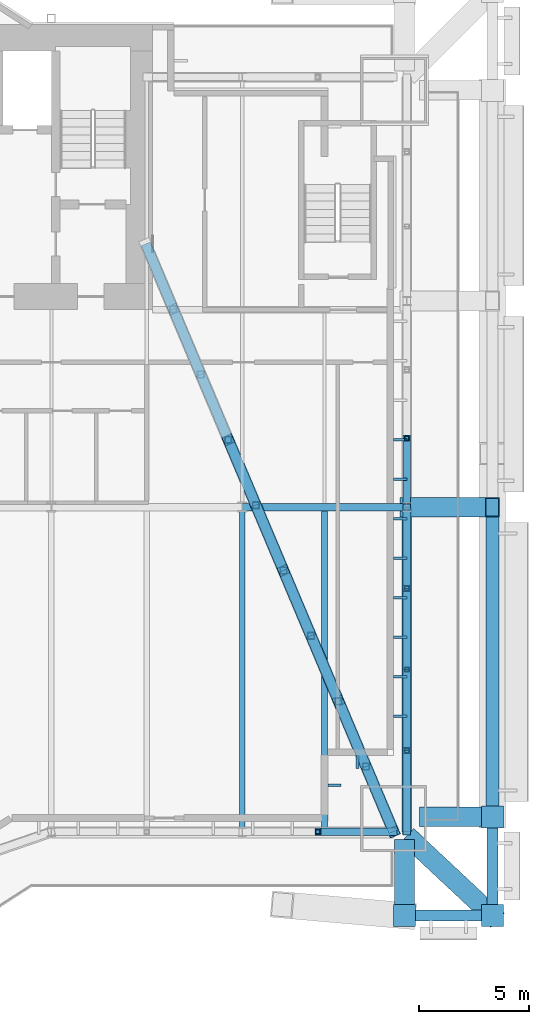
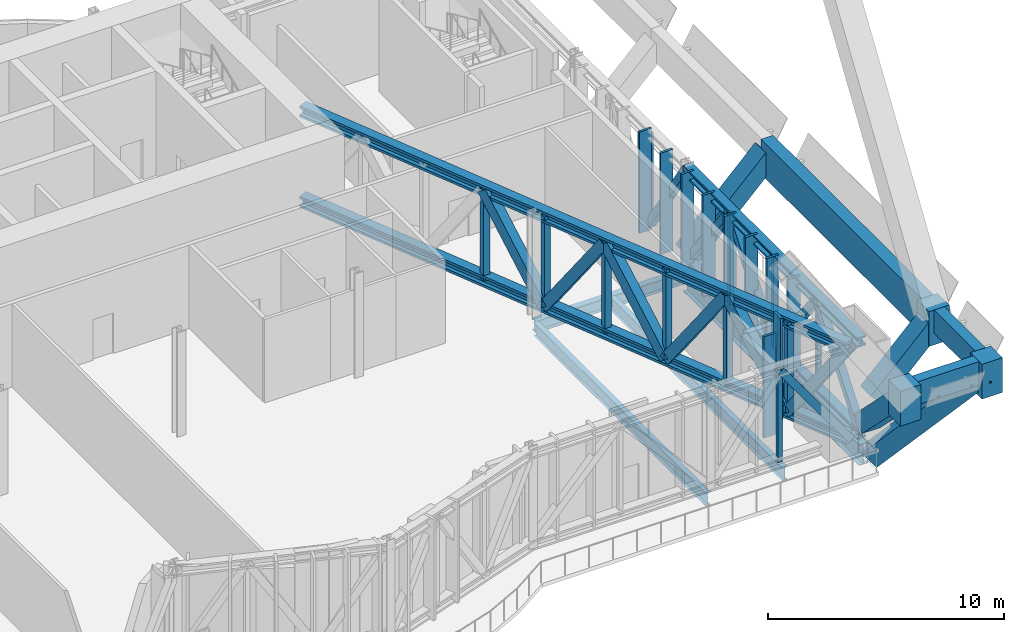
# One storey, part 16 of 32: 44 members, 7 beams, 1 element without a shape of its own.
"""IFC4 building model written with IfcOpenShell, lengths in metres."""

from ifc_helpers import new_model, si_unit, direction, frame, origin, origin_2d, place, context, subcontext, project, spatial, rectangle, hollow_rectangle, i_section, extrude, material, material_profile, profile_set, type_object, element, aggregate, save


model = new_model("IFC4")

# Units and contexts
model_context = context("Model", 3, precision=1e-05, world=origin(), true_north=direction((0.0, 1.0)))
body_context = subcontext(model_context, "Body", "Model", "MODEL_VIEW")
ifc_project = project(units=[si_unit("LENGTHUNIT", "METRE"), si_unit("AREAUNIT", "SQUARE_METRE"), si_unit("VOLUMEUNIT", "CUBIC_METRE"), si_unit("PLANEANGLEUNIT", "RADIAN"), si_unit("MASSUNIT", "GRAM", prefix="KILO")], contexts=[model_context])

# Site, building, storey
site_placement = place(None, origin())
site = spatial("IfcSite", under=ifc_project, at=site_placement, CompositionType="ELEMENT")
building_placement = place(site_placement, origin())
building = spatial("IfcBuilding", under=site, at=building_placement, Name="Bicima Exchange Tower", CompositionType="ELEMENT")
storey_placement = place(building_placement, frame((0.0, 0.0, 84.5)))
storey = spatial("IfcBuildingStorey", under=building, at=storey_placement, Name="L17", CompositionType="ELEMENT", Elevation=84.5)

# Curtain wall, members
ifc_material_1 = material(Name="Anodised bronze aluminium", Category="aluminium")
curtain_wall_type = type_object("IfcCurtainWallType", Name="Band blade screen", PredefinedType="NOTDEFINED", material=ifc_material_1)
curtain_wall_placement = place(storey_placement, origin())
curtain_wall = element("IfcCurtainWall", 1, at=curtain_wall_placement, inside=storey, type_object=curtain_wall_type, Name="Band blade screen L17", PredefinedType="NOTDEFINED")
ifc_material_profile_1 = material_profile(ifc_material_1, rectangle(XDim=0.60009765625, YDim=0.1201171875, at=origin_2d()))
ifc_profile_set_1 = profile_set([ifc_material_profile_1], Name="Anodised bronze aluminium")
member_type_1 = type_object("IfcMemberType", Name="Band blade fin 600 x 120", PredefinedType="USERDEFINED", material=ifc_profile_set_1)
member_1_placement = place(storey_placement, frame((33.300048828125, -31.52001953125, 0.0), z_axis=(0.0, 0.0, 1.0), x_axis=(-1.0, 0.0, 0.0)))
member_1 = element("IfcMember", 2, at=member_1_placement, type_object=member_type_1, Name="Band blade fin 1", ObjectType="FIN", PredefinedType="USERDEFINED", context=body_context, shape_type="SweptSolid", body=[
    extrude(rectangle(XDim=0.60009765625, YDim=0.1201171875, at=origin_2d()), origin(), (0.0, 0.0, 1.0), 5.25),
])
member_2_placement = place(storey_placement, frame((33.300048828125, -29.72021484375, 0.0), z_axis=(0.0, 0.0, 1.0), x_axis=(-1.0, 0.0, 0.0)))
member_2 = element("IfcMember", 3, at=member_2_placement, type_object=member_type_1, Name="Band blade fin 2", ObjectType="FIN", PredefinedType="USERDEFINED", context=body_context, shape_type="SweptSolid", body=[
    extrude(rectangle(XDim=0.60009765625, YDim=0.1201171875, at=origin_2d()), origin(), (0.0, 0.0, 1.0), 5.25),
])
member_3_placement = place(storey_placement, frame((33.300048828125, -27.920166015625, 0.0), z_axis=(0.0, 0.0, 1.0), x_axis=(-1.0, 0.0, 0.0)))
member_3 = element("IfcMember", 4, at=member_3_placement, type_object=member_type_1, Name="Band blade fin 3", ObjectType="FIN", PredefinedType="USERDEFINED", context=body_context, shape_type="SweptSolid", body=[
    extrude(rectangle(XDim=0.60009765625, YDim=0.1201171875, at=origin_2d()), origin(), (0.0, 0.0, 1.0), 5.25),
])
member_4_placement = place(storey_placement, frame((33.300048828125, -26.1201171875, 0.0), z_axis=(0.0, 0.0, 1.0), x_axis=(-1.0, 0.0, 0.0)))
member_4 = element("IfcMember", 5, at=member_4_placement, type_object=member_type_1, Name="Band blade fin 4", ObjectType="FIN", PredefinedType="USERDEFINED", context=body_context, shape_type="SweptSolid", body=[
    extrude(rectangle(XDim=0.60009765625, YDim=0.1201171875, at=origin_2d()), origin(), (0.0, 0.0, 1.0), 5.25),
])
member_5_placement = place(storey_placement, frame((33.300048828125, -24.320068359375, 0.0), z_axis=(0.0, 0.0, 1.0), x_axis=(-1.0, 0.0, 0.0)))
member_5 = element("IfcMember", 6, at=member_5_placement, type_object=member_type_1, Name="Band blade fin 5", ObjectType="FIN", PredefinedType="USERDEFINED", context=body_context, shape_type="SweptSolid", body=[
    extrude(rectangle(XDim=0.60009765625, YDim=0.1201171875, at=origin_2d()), origin(), (0.0, 0.0, 1.0), 5.25),
])
member_6_placement = place(storey_placement, frame((33.300048828125, -22.52001953125, 0.0), z_axis=(0.0, 0.0, 1.0), x_axis=(-1.0, 0.0, 0.0)))
member_6 = element("IfcMember", 7, at=member_6_placement, type_object=member_type_1, Name="Band blade fin 6", ObjectType="FIN", PredefinedType="USERDEFINED", context=body_context, shape_type="SweptSolid", body=[
    extrude(rectangle(XDim=0.60009765625, YDim=0.1201171875, at=origin_2d()), origin(), (0.0, 0.0, 1.0), 5.25),
])
member_7_placement = place(storey_placement, frame((33.300048828125, -20.72021484375, 0.0), z_axis=(0.0, 0.0, 1.0), x_axis=(-1.0, 0.0, 0.0)))
member_7 = element("IfcMember", 8, at=member_7_placement, type_object=member_type_1, Name="Band blade fin 7", ObjectType="FIN", PredefinedType="USERDEFINED", context=body_context, shape_type="SweptSolid", body=[
    extrude(rectangle(XDim=0.60009765625, YDim=0.1201171875, at=origin_2d()), origin(), (0.0, 0.0, 1.0), 5.25),
])
member_8_placement = place(storey_placement, frame((33.300048828125, -18.920166015625, 0.0), z_axis=(0.0, 0.0, 1.0), x_axis=(-1.0, 0.0, 0.0)))
member_8 = element("IfcMember", 9, at=member_8_placement, type_object=member_type_1, Name="Band blade fin 8", ObjectType="FIN", PredefinedType="USERDEFINED", context=body_context, shape_type="SweptSolid", body=[
    extrude(rectangle(XDim=0.60009765625, YDim=0.1201171875, at=origin_2d()), origin(), (0.0, 0.0, 1.0), 5.25),
])
member_9_placement = place(storey_placement, frame((30.300048828125, -34.666015625, 0.0), z_axis=(0.0, 0.0, 1.0), x_axis=(-1.0, 0.0, 0.0)))
member_9 = element("IfcMember", 10, at=member_9_placement, type_object=member_type_1, Name="Band blade fin 61", ObjectType="FIN", PredefinedType="USERDEFINED", context=body_context, shape_type="SweptSolid", body=[
    extrude(rectangle(XDim=0.60009765625, YDim=0.1201171875, at=origin_2d()), origin(), (0.0, 0.0, 1.0), 5.25),
])
member_10_placement = place(storey_placement, frame((31.35009765625, -33.615966796875, 0.0), z_axis=(0.0, 0.0, 1.0), x_axis=(0.0, 1.0, 0.0)))
member_10 = element("IfcMember", 11, at=member_10_placement, type_object=member_type_1, Name="Band blade fin 62", ObjectType="FIN", PredefinedType="USERDEFINED", context=body_context, shape_type="SweptSolid", body=[
    extrude(rectangle(XDim=0.60009765625, YDim=0.1201171875, at=origin_2d()), origin(), (0.0, 0.0, 1.0), 5.25),
])
aggregate(curtain_wall, [member_1, member_2, member_3, member_4, member_5, member_6, member_7, member_8, member_9, member_10])

# Beams
ifc_material_2 = material(Name="Steel ASTM A572 Gr 50", Category="steel")
ifc_material_profile_2 = material_profile(ifc_material_2, hollow_rectangle(XDim=0.5, YDim=1.199951171875, WallThickness=0.0400390625, at=origin_2d()))
ifc_profile_set_2 = profile_set([ifc_material_profile_2], Name="Steel ASTM A572 Gr 50")
beam_type_1 = type_object("IfcBeamType", Name="Belt girder BOX 500x1200x40", PredefinedType="BEAM", material=ifc_profile_set_2)
beam_1_placement = place(storey_placement, frame((33.5, -40.61279296875, 4.64990234375), z_axis=(1.0, 0.0, 0.0), x_axis=(0.0, 1.0, 0.0)))
element("IfcBeam", 12, at=beam_1_placement, inside=storey, type_object=beam_type_1, Name="Belt girder", PredefinedType="BEAM", context=body_context, shape_type="SweptSolid", body=[
    extrude(hollow_rectangle(XDim=0.5, YDim=1.199951171875, WallThickness=0.0400390625, at=origin_2d()), origin(), (0.0, 0.0, 1.0), 4.0),
])
beam_2_placement = place(storey_placement, frame((37.5, -40.61279296875, 4.64990234375), z_axis=(0.0, 1.0, 0.0), x_axis=(-1.0, 0.0, 0.0)))
element("IfcBeam", 13, at=beam_2_placement, inside=storey, type_object=beam_type_1, Name="Belt girder", PredefinedType="BEAM", context=body_context, shape_type="SweptSolid", body=[
    extrude(hollow_rectangle(XDim=0.5, YDim=1.199951171875, WallThickness=0.0400390625, at=origin_2d()), origin(), (0.0, 0.0, 1.0), 4.5),
])
ifc_material_profile_3 = material_profile(ifc_material_2, hollow_rectangle(XDim=0.60009765625, YDim=1.800048828125, WallThickness=0.06005859375, at=origin_2d()))
ifc_profile_set_3 = profile_set([ifc_material_profile_3], Name="Steel ASTM A572 Gr 50")
beam_type_2 = type_object("IfcBeamType", Name="Belt girder BOX 600x1800x60", PredefinedType="BEAM", material=ifc_profile_set_3)
beam_3_placement = place(storey_placement, frame((37.5, -36.11279296875, 4.35009765625), z_axis=(0.0, 1.0, 0.0), x_axis=(-1.0, 0.0, 0.0)))
element("IfcBeam", 14, at=beam_3_placement, inside=storey, type_object=beam_type_2, Name="Belt girder", PredefinedType="BEAM", context=body_context, shape_type="SweptSolid", body=[
    extrude(hollow_rectangle(XDim=0.60009765625, YDim=1.800048828125, WallThickness=0.06005859375, at=origin_2d()), origin(), (0.0, 0.0, 1.0), 14.11279296875),
])

# Members
ifc_material_3 = material(Name="Steel ASTM A992 Gr 50", Category="steel")
ifc_material_profile_4 = material_profile(ifc_material_3, i_section(OverallWidth=0.431884765625, OverallDepth=0.497802734375, WebThickness=0.0556640625, FlangeThickness=0.0888671875, at=origin_2d()))
ifc_profile_set_4 = profile_set([ifc_material_profile_4], Name="Steel ASTM A992 Gr 50")
member_type_2 = type_object("IfcMemberType", Name="Belt truss chord W14x500", PredefinedType="CHORD", material=ifc_profile_set_4)
for number, where, z_axis, x_axis, name in (
    (15, (33.60009765625, -22.0, 5.001220703125), (0.0, -1.0, 0.0), (1.0, 0.0, 0.0), "Top chord"),
    (16, (33.60009765625, -22.0, 0.248779296875), (0.0, -1.0, 0.0), (1.0, 0.0, 0.0), "Bottom chord"),
):
    element("IfcMember", number, at=place(storey_placement, frame(where, z_axis=z_axis, x_axis=x_axis)), inside=storey, type_object=member_type_2, Name=name, PredefinedType="CHORD", context=body_context, shape_type="SweptSolid", body=[
        extrude(i_section(OverallWidth=0.431884765625, OverallDepth=0.497802734375, WebThickness=0.0556640625, FlangeThickness=0.0888671875, at=origin_2d()), origin(), (0.0, 0.0, 1.0), 14.7939453125),
    ])
ifc_material_profile_5 = material_profile(ifc_material_2, hollow_rectangle(XDim=0.355712890625, YDim=0.355712890625, WallThickness=0.0146484375, at=origin_2d()))
ifc_profile_set_5 = profile_set([ifc_material_profile_5], Name="Steel ASTM A572 Gr 50")
member_type_3 = type_object("IfcMemberType", Name="Belt truss diagonal HSS14x14x5/8", PredefinedType="STRUT", material=ifc_profile_set_5)
member_11_placement = place(storey_placement, frame((29.550048828125, -36.7939453125, 5.001220703125), z_axis=(0.587462041023, 0.0, -0.809251722493), x_axis=(0.0, 1.0, 0.0)))
element("IfcMember", 17, at=member_11_placement, inside=storey, type_object=member_type_3, Name="Truss diagonal", PredefinedType="STRUT", context=body_context, shape_type="SweptSolid", body=[
    extrude(hollow_rectangle(XDim=0.355712890625, YDim=0.355712890625, WallThickness=0.0146484375, at=origin_2d()), origin(), (0.0, 0.0, 1.0), 5.87255859375),
])
member_12_placement = place(storey_placement, frame((33.60009765625, -18.86669921875, 0.248779296875), z_axis=(0.0, -0.550437034479, 0.834876680159), x_axis=(1.0, 0.0, 0.0)))
element("IfcMember", 18, at=member_12_placement, inside=storey, type_object=member_type_3, Name="Truss diagonal", PredefinedType="STRUT", context=body_context, shape_type="SweptSolid", body=[
    extrude(hollow_rectangle(XDim=0.355712890625, YDim=0.355712890625, WallThickness=0.0146484375, at=origin_2d()), origin(), (0.0, 0.0, 1.0), 5.6923828125),
])
for number, where, z_axis, x_axis, name in (
    (19, (33.60009765625, -22.0, 0.248779296875), (0.0, -0.614162319801, 0.789179729173), (1.0, 0.0, 0.0), "Truss diagonal"),
    (20, (33.60009765625, -25.698486328125, 5.001220703125), (0.0, -0.614162319801, -0.789179729173), (1.0, 0.0, 0.0), "Truss diagonal"),
    (21, (33.60009765625, -29.39697265625, 0.248779296875), (0.0, -0.614162319801, 0.789179729173), (1.0, 0.0, 0.0), "Truss diagonal"),
    (22, (33.60009765625, -33.095458984375, 5.001220703125), (0.0, -0.614162319801, -0.789179729173), (1.0, 0.0, 0.0), "Truss diagonal"),
):
    element("IfcMember", number, at=place(storey_placement, frame(where, z_axis=z_axis, x_axis=x_axis)), inside=storey, type_object=member_type_3, Name=name, PredefinedType="STRUT", context=body_context, shape_type="SweptSolid", body=[
        extrude(hollow_rectangle(XDim=0.355712890625, YDim=0.355712890625, WallThickness=0.0146484375, at=origin_2d()), origin(), (0.0, 0.0, 1.0), 6.02197265625),
    ])
ifc_material_profile_6 = material_profile(ifc_material_2, hollow_rectangle(XDim=0.203125, YDim=0.203125, WallThickness=0.01171875, at=origin_2d()))
ifc_profile_set_6 = profile_set([ifc_material_profile_6], Name="Steel ASTM A572 Gr 50")
member_type_4 = type_object("IfcMemberType", Name="Belt truss post HSS8x8x1/2", PredefinedType="POST", material=ifc_profile_set_6)
for number, where, z_axis, x_axis, name in (
    (23, (29.550048828125, -36.7939453125, 0.248779296875), (0.0, 0.0, 1.0), (1.0, 0.0, 0.0), "Truss post"),
    (24, (33.60009765625, -18.86669921875, 0.248779296875), (0.0, 0.0, 1.0), (1.0, 0.0, 0.0), "Truss post"),
    (25, (33.60009765625, -25.698486328125, 0.248779296875), (0.0, 0.0, 1.0), (1.0, 0.0, 0.0), "Truss post"),
    (26, (33.60009765625, -29.39697265625, 0.248779296875), (0.0, 0.0, 1.0), (1.0, 0.0, 0.0), "Truss post"),
    (27, (33.60009765625, -33.095458984375, 0.248779296875), (0.0, 0.0, 1.0), (1.0, 0.0, 0.0), "Truss post"),
):
    element("IfcMember", number, at=place(storey_placement, frame(where, z_axis=z_axis, x_axis=x_axis)), inside=storey, type_object=member_type_4, Name=name, PredefinedType="POST", context=body_context, shape_type="SweptSolid", body=[
        extrude(hollow_rectangle(XDim=0.203125, YDim=0.203125, WallThickness=0.01171875, at=origin_2d()), origin(), (0.0, 0.0, 1.0), 4.75244140625),
    ])

# Beam
ifc_material_profile_7 = material_profile(ifc_material_3, i_section(OverallWidth=0.4013671875, OverallDepth=1.089599609375, WebThickness=0.01806640625, FlangeThickness=0.031005859375, at=origin_2d()))
ifc_profile_set_7 = profile_set([ifc_material_profile_7], Name="Steel ASTM A992 Gr 50")
beam_type_3 = type_object("IfcBeamType", Name="End girder W44x230", PredefinedType="BEAM", material=ifc_profile_set_7)
beam_4_placement = place(storey_placement, frame((33.60009765625, -22.0, -0.744873046875), z_axis=(0.0, -1.0, 0.0), x_axis=(1.0, 0.0, 0.0)))
element("IfcBeam", 28, at=beam_4_placement, inside=storey, type_object=beam_type_3, Name="End girder", PredefinedType="BEAM", context=body_context, shape_type="SweptSolid", body=[
    extrude(i_section(OverallWidth=0.4013671875, OverallDepth=1.089599609375, WebThickness=0.01806640625, FlangeThickness=0.031005859375, at=origin_2d()), origin(), (0.0, 0.0, 1.0), 14.916015625),
])

# Members
ifc_material_4 = material(Name="Cast steel ASTM A216 Gr WCB", Category="steel")
ifc_material_profile_8 = material_profile(ifc_material_4, rectangle(XDim=1.0, YDim=1.0, at=origin_2d()))
ifc_profile_set_8 = profile_set([ifc_material_profile_8], Name="Cast steel ASTM A216 Gr WCB")
member_type_5 = type_object("IfcMemberType", Name="Exo node block", PredefinedType="POST", material=ifc_profile_set_8)
for number, where, z_axis, x_axis, name in (
    (29, (33.5, -40.61279296875, 3.449951171875), (0.0, 0.0, 1.0), (1.0, 0.0, 0.0), "Exo node block"),
    (30, (37.5, -40.61279296875, 3.449951171875), (0.0, 0.0, 1.0), (1.0, 0.0, 0.0), "Exo node block"),
    (31, (37.5, -36.11279296875, 3.449951171875), (0.0, 0.0, 1.0), (1.0, 0.0, 0.0), "Exo node block"),
):
    element("IfcMember", number, at=place(storey_placement, frame(where, z_axis=z_axis, x_axis=x_axis)), inside=storey, type_object=member_type_5, Name=name, PredefinedType="POST", context=body_context, shape_type="SweptSolid", body=[
        extrude(rectangle(XDim=1.0, YDim=1.0, at=origin_2d()), origin(), (0.0, 0.0, 1.0), 1.800048828125),
    ])
ifc_material_profile_9 = material_profile(ifc_material_2, hollow_rectangle(XDim=0.89990234375, YDim=0.89990234375, WallThickness=0.050048828125, at=origin_2d()))
ifc_profile_set_9 = profile_set([ifc_material_profile_9], Name="Steel ASTM A572 Gr 50")
member_type_6 = type_object("IfcMemberType", Name="Exo outrigger stub BOX 900x900x50", PredefinedType="STRUT", material=ifc_profile_set_9)
member_13_placement = place(storey_placement, frame((33.5, -37.455322265625, 1.3427734375), z_axis=(0.0, -0.707134119022, 0.707079442294), x_axis=(1.0, 0.0, 0.0)))
element("IfcMember", 32, at=member_13_placement, inside=storey, type_object=member_type_6, Name="Exo outrigger stub", PredefinedType="STRUT", context=body_context, shape_type="SweptSolid", body=[
    extrude(hollow_rectangle(XDim=0.89990234375, YDim=0.89990234375, WallThickness=0.050048828125, at=origin_2d()), origin(), (0.0, 0.0, 1.0), 4.465087890625),
])
member_14_placement = place(storey_placement, frame((33.848388671875, -37.1962890625, -0.70068359375), z_axis=(0.506125264948, -0.473538607854, 0.720831743927), x_axis=(0.683208359889, 0.730223484269, 0.0)))
element("IfcMember", 33, at=member_14_placement, inside=storey, type_object=member_type_6, Name="Exo outrigger stub", PredefinedType="STRUT", context=body_context, shape_type="SweptSolid", body=[
    extrude(hollow_rectangle(XDim=0.89990234375, YDim=0.89990234375, WallThickness=0.050048828125, at=origin_2d()), origin(), (0.0, 0.0, 1.0), 7.21484375),
])
member_15_placement = place(storey_placement, frame((34.5, -36.11279296875, 1.5), z_axis=(0.707106781187, 0.0, 0.707106781187), x_axis=(0.0, 1.0, 0.0)))
element("IfcMember", 34, at=member_15_placement, inside=storey, type_object=member_type_6, Name="Exo outrigger stub", PredefinedType="STRUT", context=body_context, shape_type="SweptSolid", body=[
    extrude(hollow_rectangle(XDim=0.89990234375, YDim=0.89990234375, WallThickness=0.050048828125, at=origin_2d()), origin(), (0.0, 0.0, 1.0), 4.24267578125),
])
member_16_placement = place(storey_placement, frame((33.60009765625, -22.0, 0.60009765625), z_axis=(0.707106781187, 0.0, 0.707106781187), x_axis=(0.0, 1.0, 0.0)))
element("IfcMember", 35, at=member_16_placement, inside=storey, type_object=member_type_6, Name="Exo outrigger stub", PredefinedType="STRUT", context=body_context, shape_type="SweptSolid", body=[
    extrude(hollow_rectangle(XDim=0.89990234375, YDim=0.89990234375, WallThickness=0.050048828125, at=origin_2d()), origin(), (0.0, 0.0, 1.0), 5.515380859375),
])

# Beams
ifc_material_profile_10 = material_profile(ifc_material_3, i_section(OverallWidth=0.25390625, OverallDepth=0.67822265625, WebThickness=0.01171875, FlangeThickness=0.016357421875, at=origin_2d()))
ifc_profile_set_10 = profile_set([ifc_material_profile_10], Name="Steel ASTM A992 Gr 50")
beam_type_4 = type_object("IfcBeamType", Name="Floor beam W27x84", PredefinedType="JOIST", material=ifc_profile_set_10)
for number, where, z_axis, x_axis, name in (
    (36, (26.10009765625, -22.16259765625, -0.5390625), (0.0, -1.0, 0.0), (1.0, 0.0, 0.0), "Floor beam"),
    (37, (29.85009765625, -22.16259765625, -0.5390625), (0.0, -1.0, 0.0), (1.0, 0.0, 0.0), "Floor beam"),
):
    element("IfcBeam", number, at=place(storey_placement, frame(where, z_axis=z_axis, x_axis=x_axis)), inside=storey, type_object=beam_type_4, Name=name, PredefinedType="JOIST", context=body_context, shape_type="SweptSolid", body=[
        extrude(i_section(OverallWidth=0.25390625, OverallDepth=0.67822265625, WebThickness=0.01171875, FlangeThickness=0.016357421875, at=origin_2d()), origin(), (0.0, 0.0, 1.0), 14.5908203125),
    ])

# Members
ifc_material_profile_11 = material_profile(ifc_material_3, i_section(OverallWidth=0.45458984375, OverallDepth=0.56884765625, WebThickness=0.077880859375, FlangeThickness=0.124755859375, at=origin_2d()))
ifc_profile_set_11 = profile_set([ifc_material_profile_11], Name="Steel ASTM A992 Gr 50")
member_type_7 = type_object("IfcMemberType", Name="Outrigger truss chord W14x730", PredefinedType="CHORD", material=ifc_profile_set_11)
for number, where, z_axis, x_axis, name in (
    (38, (21.699951171875, -10.0, 4.965576171875), (0.388594040369, -0.921409068649, 0.0), (0.921409068649, 0.388594040369, 0.0), "Top chord"),
    (39, (21.699951171875, -10.0, 0.284423828125), (0.388594040369, -0.921409068649, 0.0), (0.921409068649, 0.388594040369, 0.0), "Bottom chord"),
):
    element("IfcMember", number, at=place(storey_placement, frame(where, z_axis=z_axis, x_axis=x_axis)), inside=storey, type_object=member_type_7, Name=name, PredefinedType="CHORD", context=body_context, shape_type="SweptSolid", body=[
        extrude(i_section(OverallWidth=0.45458984375, OverallDepth=0.56884765625, WebThickness=0.077880859375, FlangeThickness=0.124755859375, at=origin_2d()), origin(), (0.0, 0.0, 1.0), 29.079345703125),
    ])
ifc_material_profile_12 = material_profile(ifc_material_2, hollow_rectangle(XDim=0.508056640625, YDim=0.508056640625, WallThickness=0.017822265625, at=origin_2d()))
ifc_profile_set_12 = profile_set([ifc_material_profile_12], Name="Steel ASTM A572 Gr 50")
member_type_8 = type_object("IfcMemberType", Name="Outrigger truss diagonal HSS20x20x3/4", PredefinedType="STRUT", material=ifc_profile_set_12)
for number, where, z_axis, x_axis, name in (
    (40, (25.466796875, -18.931396484375, 4.965576171875), (0.220709854177, -0.523402559673, -0.823004812135), (0.92142757548, 0.38855015525, 0.0), "Truss diagonal"),
    (41, (26.72216796875, -21.908447265625, 0.284423828125), (0.220750685657, -0.523397600797, 0.822997014735), (0.921400520551, 0.388614308446, 0.0), "Truss diagonal"),
    (42, (27.977783203125, -24.885498046875, 4.965576171875), (0.220745726332, -0.523428763878, -0.82297852551), (0.921411930783, 0.388587253794, 0.0), "Truss diagonal"),
    (43, (29.2333984375, -27.86279296875, 0.284423828125), (0.220750685657, -0.523397600797, 0.822997014735), (0.921400520551, 0.388614308446, 0.0), "Truss diagonal"),
    (44, (30.489013671875, -30.83984375, 4.965576171875), (0.220709854177, -0.523402559673, -0.823004812135), (0.92142757548, 0.38855015525, 0.0), "Truss diagonal"),
    (45, (31.744384765625, -33.81689453125, 0.284423828125), (0.220750685657, -0.523397600797, 0.822997014735), (0.921400520551, 0.388614308446, 0.0), "Truss diagonal"),
):
    element("IfcMember", number, at=place(storey_placement, frame(where, z_axis=z_axis, x_axis=x_axis)), inside=storey, type_object=member_type_8, Name=name, PredefinedType="STRUT", context=body_context, shape_type="SweptSolid", body=[
        extrude(hollow_rectangle(XDim=0.508056640625, YDim=0.508056640625, WallThickness=0.017822265625, at=origin_2d()), origin(), (0.0, 0.0, 1.0), 5.68798828125),
    ])
ifc_material_profile_13 = material_profile(ifc_material_2, hollow_rectangle(XDim=0.3046875, YDim=0.3046875, WallThickness=0.01171875, at=origin_2d()))
ifc_profile_set_13 = profile_set([ifc_material_profile_13], Name="Steel ASTM A572 Gr 50")
member_type_9 = type_object("IfcMemberType", Name="Outrigger truss post HSS12x12x1/2", PredefinedType="POST", material=ifc_profile_set_13)
for number, where, z_axis, x_axis, name in (
    (46, (25.466796875, -18.931396484375, 0.284423828125), (0.0, 0.0, 1.0), (1.0, 0.0, 0.0), "Truss post"),
    (47, (26.72216796875, -21.908447265625, 0.284423828125), (0.0, 0.0, 1.0), (1.0, 0.0, 0.0), "Truss post"),
    (48, (27.977783203125, -24.885498046875, 0.284423828125), (0.0, 0.0, 1.0), (1.0, 0.0, 0.0), "Truss post"),
    (49, (29.2333984375, -27.86279296875, 0.284423828125), (0.0, 0.0, 1.0), (1.0, 0.0, 0.0), "Truss post"),
    (50, (30.489013671875, -30.83984375, 0.284423828125), (0.0, 0.0, 1.0), (1.0, 0.0, 0.0), "Truss post"),
    (51, (31.744384765625, -33.81689453125, 0.284423828125), (0.0, 0.0, 1.0), (1.0, 0.0, 0.0), "Truss post"),
):
    element("IfcMember", number, at=place(storey_placement, frame(where, z_axis=z_axis, x_axis=x_axis)), inside=storey, type_object=member_type_9, Name=name, PredefinedType="POST", context=body_context, shape_type="SweptSolid", body=[
        extrude(hollow_rectangle(XDim=0.3046875, YDim=0.3046875, WallThickness=0.01171875, at=origin_2d()), origin(), (0.0, 0.0, 1.0), 4.68115234375),
    ])

# Beam
ifc_material_profile_14 = material_profile(ifc_material_3, i_section(OverallWidth=0.3251953125, OverallDepth=0.612060546875, WebThickness=0.0126953125, FlangeThickness=0.01904296875, at=origin_2d()))
ifc_profile_set_14 = profile_set([ifc_material_profile_14], Name="Steel ASTM A992 Gr 50")
beam_type_5 = type_object("IfcBeamType", Name="Row girder W24x104", PredefinedType="BEAM", material=ifc_profile_set_14)
beam_5_placement = place(storey_placement, frame((26.10009765625, -22.0, -0.506103515625), z_axis=(1.0, 0.0, 0.0), x_axis=(0.0, 1.0, 0.0)))
element("IfcBeam", 52, at=beam_5_placement, inside=storey, type_object=beam_type_5, Name="Row girder", PredefinedType="BEAM", context=body_context, shape_type="SweptSolid", body=[
    extrude(i_section(OverallWidth=0.3251953125, OverallDepth=0.612060546875, WebThickness=0.0126953125, FlangeThickness=0.01904296875, at=origin_2d()), origin(), (0.0, 0.0, 1.0), 7.5),
])

save(model, "model.ifc")
